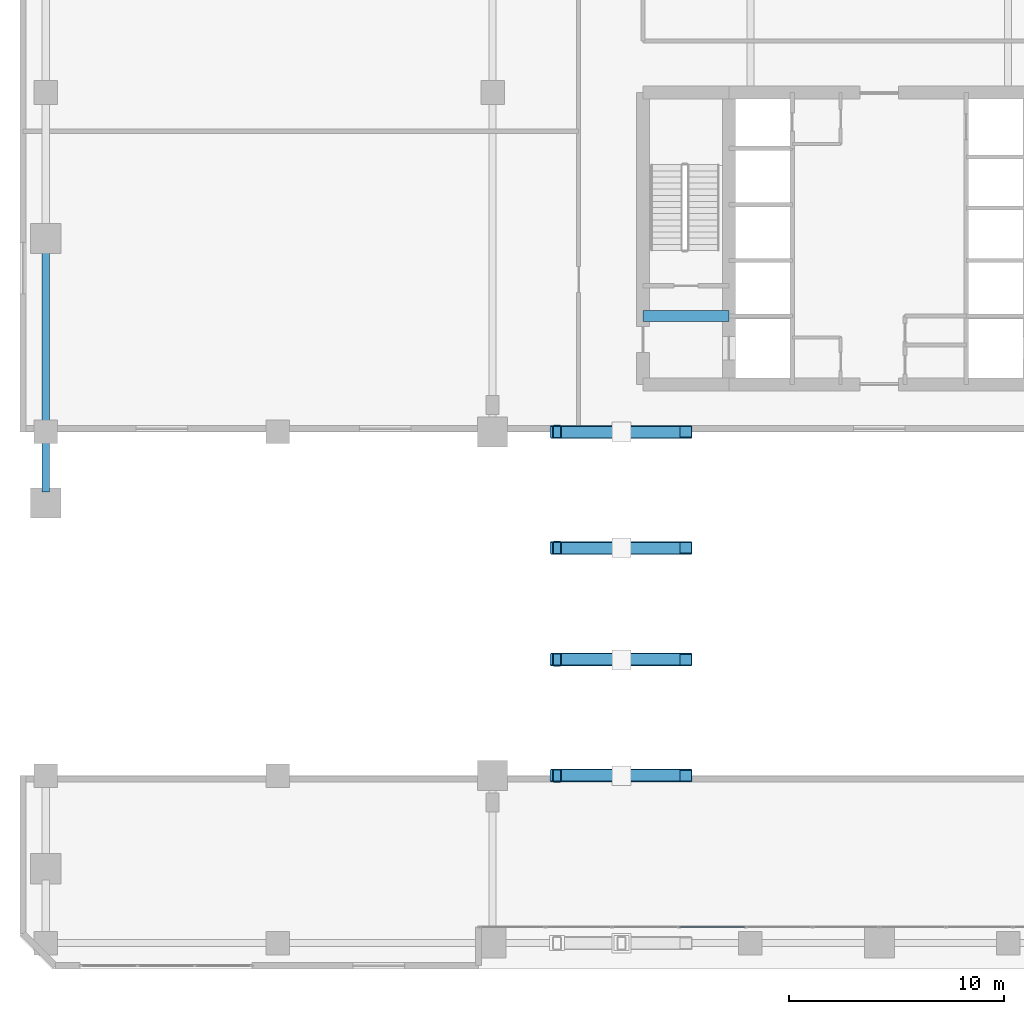
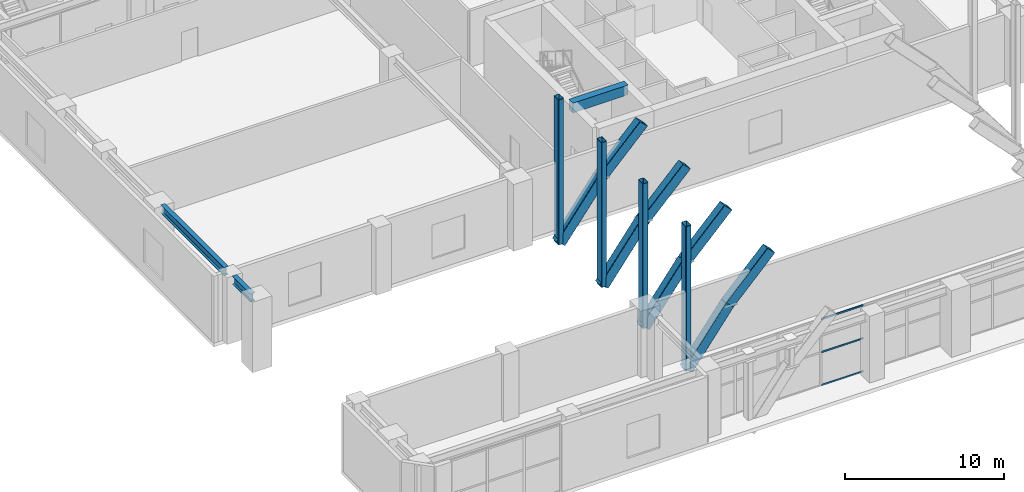
# One storey, part 5 of 28: 15 members, 3 beams, 1 element without a shape of its own.
"""IFC4 building model written with IfcOpenShell, lengths in metres."""

from ifc_helpers import new_model, si_unit, direction, frame, origin, origin_2d, place, context, subcontext, project, spatial, rectangle, hollow_rectangle, i_section, extrude, material, layer, layer_set, material_profile, profile_set, type_object, element, aggregate, save


model = new_model("IFC4")

# Units and contexts
model_context = context("Model", 3, precision=1e-05, world=origin(), true_north=direction((0.0, 1.0)))
body_context = subcontext(model_context, "Body", "Model", "MODEL_VIEW")
ifc_project = project(units=[si_unit("LENGTHUNIT", "METRE"), si_unit("AREAUNIT", "SQUARE_METRE"), si_unit("VOLUMEUNIT", "CUBIC_METRE"), si_unit("PLANEANGLEUNIT", "RADIAN"), si_unit("MASSUNIT", "GRAM", prefix="KILO")], contexts=[model_context])

# Site, building, storey
site_placement = place(None, origin())
site = spatial("IfcSite", under=ifc_project, at=site_placement, CompositionType="ELEMENT")
building_placement = place(site_placement, origin())
building = spatial("IfcBuilding", under=site, at=building_placement, Name="Sarneth Arch Tower", CompositionType="ELEMENT")
storey_placement = place(building_placement, frame((0.0, 0.0, 6.0)))
storey = spatial("IfcBuildingStorey", under=building, at=storey_placement, Name="L01", CompositionType="ELEMENT", Elevation=6.0)

# Beams
ifc_material_1 = material(Name="Concrete C50/60", Category="concrete")
ifc_material_profile_1 = material_profile(ifc_material_1, rectangle(XDim=0.5, YDim=0.75, at=origin_2d()), Name="RC-500x750")
ifc_profile_set_1 = profile_set([ifc_material_profile_1], Name="Concrete C50/60")
beam_type_1 = type_object("IfcBeamType", Name="BM-LINTEL-RC", PredefinedType="LINTEL", material=ifc_profile_set_1)
beam_1_placement = place(storey_placement, frame((37.0, 38.39990234375, 4.7451171875), z_axis=(1.0, 0.0, 0.0), x_axis=(0.0, 1.0, 0.0)))
element("IfcBeam", 1, at=beam_1_placement, inside=storey, type_object=beam_type_1, Name="L01 Core coupling lintel W", PredefinedType="LINTEL", context=body_context, shape_type="SweptSolid", body=[
    extrude(rectangle(XDim=0.5, YDim=0.75, at=origin_2d()), origin(), (0.0, 0.0, 1.0), 4.0),
])
ifc_material_2 = material(Name="Steel S355", Category="steel")
ifc_material_profile_2 = material_profile(ifc_material_2, i_section(OverallWidth=0.3291015625, OverallDepth=0.635009765625, WebThickness=0.017822265625, FlangeThickness=0.031005859375, FilletRadius=0.01904296875, at=origin_2d()), Name="W610x241")
ifc_profile_set_2 = profile_set([ifc_material_profile_2], Name="Steel S355")
beam_type_2 = type_object("IfcBeamType", Name="BM-POD-610", PredefinedType="BEAM", material=ifc_profile_set_2)
beam_2_placement = place(storey_placement, frame((9.199951171875, 30.2021484375, 4.802490234375), z_axis=(0.0, 1.0, 0.0), x_axis=(-1.0, 0.0, 0.0)))
element("IfcBeam", 2, at=beam_2_placement, inside=storey, type_object=beam_type_2, Name="L01 Podium PW girder 4", PredefinedType="BEAM", context=body_context, shape_type="SweptSolid", body=[
    extrude(i_section(OverallWidth=0.3291015625, OverallDepth=0.635009765625, WebThickness=0.017822265625, FlangeThickness=0.031005859375, FilletRadius=0.01904296875, at=origin_2d()), origin(), (0.0, 0.0, 1.0), 2.27783203125),
])
beam_3_placement = place(storey_placement, frame((9.199951171875, 33.52001953125, 4.802490234375), z_axis=(0.0, 1.0, 0.0), x_axis=(-1.0, 0.0, 0.0)))
element("IfcBeam", 3, at=beam_3_placement, inside=storey, type_object=beam_type_2, Name="L01 Podium PW girder 5", PredefinedType="BEAM", context=body_context, shape_type="SweptSolid", body=[
    extrude(i_section(OverallWidth=0.3291015625, OverallDepth=0.635009765625, WebThickness=0.017822265625, FlangeThickness=0.031005859375, FilletRadius=0.01904296875, at=origin_2d()), origin(), (0.0, 0.0, 1.0), 7.9599609375),
])

# Curtain wall, members
ifc_material_3 = material(Name="Anodised aluminium Type AA25 and solar-control low-e laminated IGU", Category="aluminium")
ifc_layer = layer(ifc_material_3, 0.199951171875)
ifc_layer_set = layer_set([ifc_layer], Name="Anodised aluminium Type AA25 and solar-control low-e laminated IGU")
curtain_wall_type = type_object("IfcCurtainWallType", Name="CW-ARCH-GLAZE", PredefinedType="NOTDEFINED", material=ifc_layer_set)
curtain_wall_placement = place(storey_placement, origin())
curtain_wall = element("IfcCurtainWall", 4, at=curtain_wall_placement, inside=storey, type_object=curtain_wall_type, Name="L01 South parabolic arch portal curtain wall", PredefinedType="NOTDEFINED")
ifc_material_4 = material(Name="Anodised Aluminium 6063-T6", Category="aluminium")
ifc_material_profile_3 = material_profile(ifc_material_4, hollow_rectangle(XDim=0.06005859375, YDim=0.1201171875, WallThickness=0.00390625, at=origin_2d()), Name="AL-TRAN-120x60x4")
ifc_profile_set_3 = profile_set([ifc_material_profile_3], Name="Anodised Aluminium 6063-T6")
member_type_1 = type_object("IfcMemberType", Name="CW-TRANSOM", PredefinedType="USERDEFINED", material=ifc_profile_set_3)
member_1_placement = place(storey_placement, frame((38.705078125, 9.949951171875, 0.030029296875), z_axis=(1.0, 0.0, 0.0), x_axis=(0.0, 1.0, 0.0)))
member_1 = element("IfcMember", 5, at=member_1_placement, type_object=member_type_1, Name="CW-SYS-2 transom 4.1", ObjectType="TRANSOM", PredefinedType="USERDEFINED", context=body_context, shape_type="SweptSolid", body=[
    extrude(hollow_rectangle(XDim=0.06005859375, YDim=0.1201171875, WallThickness=0.00390625, at=origin_2d()), origin(), (0.0, 0.0, 1.0), 3.04833984375),
])
member_2_placement = place(storey_placement, frame((38.705078125, 9.949951171875, 2.56005859375), z_axis=(1.0, 0.0, 0.0), x_axis=(0.0, 1.0, 0.0)))
member_2 = element("IfcMember", 6, at=member_2_placement, type_object=member_type_1, Name="CW-SYS-2 transom 4.2", ObjectType="TRANSOM", PredefinedType="USERDEFINED", context=body_context, shape_type="SweptSolid", body=[
    extrude(hollow_rectangle(XDim=0.06005859375, YDim=0.1201171875, WallThickness=0.00390625, at=origin_2d()), origin(), (0.0, 0.0, 1.0), 3.04833984375),
])
member_3_placement = place(storey_placement, frame((38.705078125, 9.949951171875, 5.090087890625), z_axis=(1.0, 0.0, 0.0), x_axis=(0.0, 1.0, 0.0)))
member_3 = element("IfcMember", 7, at=member_3_placement, type_object=member_type_1, Name="CW-SYS-2 transom 4.3", ObjectType="TRANSOM", PredefinedType="USERDEFINED", context=body_context, shape_type="SweptSolid", body=[
    extrude(hollow_rectangle(XDim=0.06005859375, YDim=0.1201171875, WallThickness=0.00390625, at=origin_2d()), origin(), (0.0, 0.0, 1.0), 3.04833984375),
])
aggregate(curtain_wall, [member_1, member_2, member_3])

# Members
ifc_material_5 = material(Name="Steel S355", Category="steel")
ifc_material_profile_4 = material_profile(ifc_material_5, hollow_rectangle(XDim=0.60009765625, YDim=0.800048828125, WallThickness=0.028076171875, InnerFilletRadius=0.0419921875, OuterFilletRadius=0.070068359375, at=origin_2d()), Name="RHS800x600x28")
ifc_profile_set_4 = profile_set([ifc_material_profile_4], Name="Steel S355")
member_type_2 = type_object("IfcMemberType", Name="MEM-ARCH-CHORD", PredefinedType="CHORD", material=ifc_profile_set_4)
member_4_placement = place(storey_placement, frame((33.0, 17.0, -0.96875), z_axis=(0.60060981993, 0.0, 0.799542271681), x_axis=(0.0, 1.0, 0.0)))
element("IfcMember", 8, at=member_4_placement, inside=storey, type_object=member_type_2, Name="Podium parabolic arch rib 2 segment 2", PredefinedType="CHORD", context=body_context, shape_type="SweptSolid", body=[
    extrude(hollow_rectangle(XDim=0.60009765625, YDim=0.800048828125, WallThickness=0.028076171875, InnerFilletRadius=0.0419921875, OuterFilletRadius=0.070068359375, at=origin_2d()), origin(), (0.0, 0.0, 1.0), 4.994873046875),
])
member_5_placement = place(storey_placement, frame((36.0, 17.0, 3.02490234375), z_axis=(0.694675220792, 0.0, 0.71932352778), x_axis=(0.0, 1.0, 0.0)))
element("IfcMember", 9, at=member_5_placement, inside=storey, type_object=member_type_2, Name="Podium parabolic arch rib 2 segment 3", PredefinedType="CHORD", context=body_context, shape_type="SweptSolid", body=[
    extrude(hollow_rectangle(XDim=0.60009765625, YDim=0.800048828125, WallThickness=0.028076171875, InnerFilletRadius=0.0419921875, OuterFilletRadius=0.070068359375, at=origin_2d()), origin(), (0.0, 0.0, 1.0), 4.318603515625),
])
member_6_placement = place(storey_placement, frame((33.0, 22.39990234375, -0.96875), z_axis=(0.60060981993, 0.0, 0.799542271681), x_axis=(0.0, 1.0, 0.0)))
element("IfcMember", 10, at=member_6_placement, inside=storey, type_object=member_type_2, Name="Podium parabolic arch rib 3 segment 2", PredefinedType="CHORD", context=body_context, shape_type="SweptSolid", body=[
    extrude(hollow_rectangle(XDim=0.60009765625, YDim=0.800048828125, WallThickness=0.028076171875, InnerFilletRadius=0.0419921875, OuterFilletRadius=0.070068359375, at=origin_2d()), origin(), (0.0, 0.0, 1.0), 4.994873046875),
])
member_7_placement = place(storey_placement, frame((36.0, 22.39990234375, 3.02490234375), z_axis=(0.694675220792, 0.0, 0.71932352778), x_axis=(0.0, 1.0, 0.0)))
element("IfcMember", 11, at=member_7_placement, inside=storey, type_object=member_type_2, Name="Podium parabolic arch rib 3 segment 3", PredefinedType="CHORD", context=body_context, shape_type="SweptSolid", body=[
    extrude(hollow_rectangle(XDim=0.60009765625, YDim=0.800048828125, WallThickness=0.028076171875, InnerFilletRadius=0.0419921875, OuterFilletRadius=0.070068359375, at=origin_2d()), origin(), (0.0, 0.0, 1.0), 4.318603515625),
])
member_8_placement = place(storey_placement, frame((33.0, 27.60009765625, -0.96875), z_axis=(0.60060981993, 0.0, 0.799542271681), x_axis=(0.0, 1.0, 0.0)))
element("IfcMember", 12, at=member_8_placement, inside=storey, type_object=member_type_2, Name="Podium parabolic arch rib 4 segment 2", PredefinedType="CHORD", context=body_context, shape_type="SweptSolid", body=[
    extrude(hollow_rectangle(XDim=0.60009765625, YDim=0.800048828125, WallThickness=0.028076171875, InnerFilletRadius=0.0419921875, OuterFilletRadius=0.070068359375, at=origin_2d()), origin(), (0.0, 0.0, 1.0), 4.994873046875),
])
member_9_placement = place(storey_placement, frame((36.0, 27.60009765625, 3.02490234375), z_axis=(0.694675220792, 0.0, 0.71932352778), x_axis=(0.0, 1.0, 0.0)))
element("IfcMember", 13, at=member_9_placement, inside=storey, type_object=member_type_2, Name="Podium parabolic arch rib 4 segment 3", PredefinedType="CHORD", context=body_context, shape_type="SweptSolid", body=[
    extrude(hollow_rectangle(XDim=0.60009765625, YDim=0.800048828125, WallThickness=0.028076171875, InnerFilletRadius=0.0419921875, OuterFilletRadius=0.070068359375, at=origin_2d()), origin(), (0.0, 0.0, 1.0), 4.318603515625),
])
member_10_placement = place(storey_placement, frame((33.0, 33.0, -0.96875), z_axis=(0.60060981993, 0.0, 0.799542271681), x_axis=(0.0, 1.0, 0.0)))
element("IfcMember", 14, at=member_10_placement, inside=storey, type_object=member_type_2, Name="Podium parabolic arch rib 5 segment 2", PredefinedType="CHORD", context=body_context, shape_type="SweptSolid", body=[
    extrude(hollow_rectangle(XDim=0.60009765625, YDim=0.800048828125, WallThickness=0.028076171875, InnerFilletRadius=0.0419921875, OuterFilletRadius=0.070068359375, at=origin_2d()), origin(), (0.0, 0.0, 1.0), 4.994873046875),
])
member_11_placement = place(storey_placement, frame((36.0, 33.0, 3.02490234375), z_axis=(0.694675220792, 0.0, 0.71932352778), x_axis=(0.0, 1.0, 0.0)))
element("IfcMember", 15, at=member_11_placement, inside=storey, type_object=member_type_2, Name="Podium parabolic arch rib 5 segment 3", PredefinedType="CHORD", context=body_context, shape_type="SweptSolid", body=[
    extrude(hollow_rectangle(XDim=0.60009765625, YDim=0.800048828125, WallThickness=0.028076171875, InnerFilletRadius=0.0419921875, OuterFilletRadius=0.070068359375, at=origin_2d()), origin(), (0.0, 0.0, 1.0), 4.318603515625),
])
ifc_material_6 = material(Name="Steel S355", Category="steel")
ifc_material_profile_5 = material_profile(ifc_material_6, hollow_rectangle(XDim=0.39990234375, YDim=0.60009765625, WallThickness=0.02197265625, InnerFilletRadius=0.032958984375, OuterFilletRadius=0.054931640625, at=origin_2d()), Name="RHS600x400x22")
ifc_profile_set_5 = profile_set([ifc_material_profile_5], Name="Steel S355")
member_type_3 = type_object("IfcMemberType", Name="MEM-ARCH-WEB", PredefinedType="BRACE", material=ifc_profile_set_5)
for number, where, z_axis, x_axis, name in (
    (16, (33.0, 17.0, -0.96875), (0.0, 0.0, 1.0), (1.0, 0.0, 0.0), "Podium arch spandrel post 2.1"),
    (17, (33.0, 22.39990234375, -0.96875), (0.0, 0.0, 1.0), (1.0, 0.0, 0.0), "Podium arch spandrel post 3.1"),
    (18, (33.0, 27.60009765625, -0.96875), (0.0, 0.0, 1.0), (1.0, 0.0, 0.0), "Podium arch spandrel post 4.1"),
    (19, (33.0, 33.0, -0.96875), (0.0, 0.0, 1.0), (1.0, 0.0, 0.0), "Podium arch spandrel post 5.1"),
):
    element("IfcMember", number, at=place(storey_placement, frame(where, z_axis=z_axis, x_axis=x_axis)), inside=storey, type_object=member_type_3, Name=name, PredefinedType="BRACE", context=body_context, shape_type="SweptSolid", body=[
        extrude(hollow_rectangle(XDim=0.39990234375, YDim=0.60009765625, WallThickness=0.02197265625, InnerFilletRadius=0.032958984375, OuterFilletRadius=0.054931640625, at=origin_2d()), origin(), (0.0, 0.0, 1.0), 11.09375),
    ])

save(model, "model.ifc")
